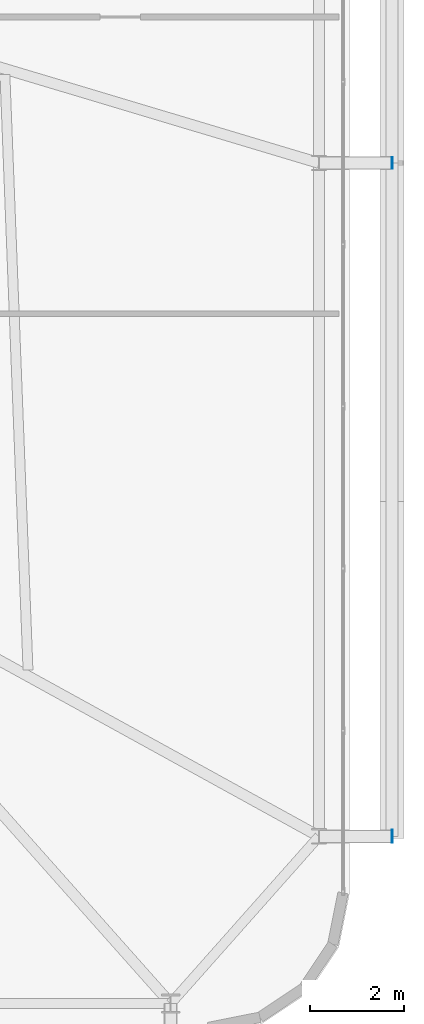
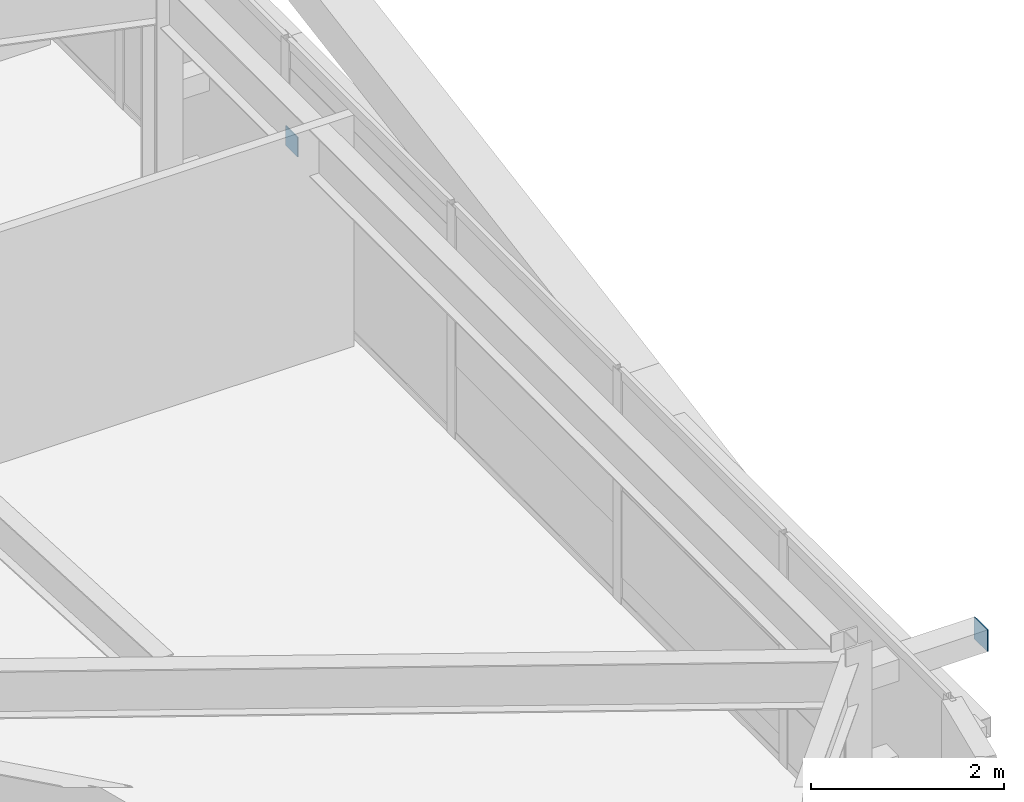
# One storey, part 48 of 59: 2 plates.
"""IFC4 building model written with IfcOpenShell, lengths in metres."""

import ifcopenshell
import ifcopenshell.guid

model = None  # the IFC model being written
_history = None  # IfcOwnerHistory: only IFC2X3 demands one
_inside = {}  # id of a spatial element -> (the spatial element, [elements in it])
_under = {}  # id of a project, library or spatial element -> (it, [spatial elements below it])
_declared = {}  # id of a project -> (the project, [libraries it declares])
_typed = {}  # id of a type object -> (the type object, [elements of that type])
_made_of = {}  # id of a material, layer set ... -> (it, [elements and type objects made of it])


def new_model(schema):
    """Start an empty IFC model of exactly this schema.

    Asked for "IFC4X3", IfcOpenShell would pick the latest addendum, in which some entities
    have other attributes; the version numbers below select the first issue.
    IFC2X3 requires an IfcOwnerHistory on every rooted entity: one is made here for all.
    """
    global model, _history
    if schema == "IFC4X3":
        model = ifcopenshell.file(schema_version=(4, 3, 0, 0))
    else:
        model = ifcopenshell.file(schema=schema)
    _inside.clear()
    _under.clear()
    _declared.clear()
    _typed.clear()
    _made_of.clear()
    _history = None
    if model.schema == "IFC2X3":
        org = make("IfcOrganization", Name="unknown")
        user = make(
            "IfcPersonAndOrganization",
            ThePerson=make("IfcPerson", FamilyName="unknown"),
            TheOrganization=org,
        )
        app = make(
            "IfcApplication",
            ApplicationDeveloper=org,
            Version="unknown",
            ApplicationFullName="unknown",
            ApplicationIdentifier="unknown",
        )
        _history = make(
            "IfcOwnerHistory",
            OwningUser=user,
            OwningApplication=app,
            ChangeAction="ADDED",
            CreationDate=0,
        )
    return model


def make(cls, **values):
    """One entity of the class cls with the attributes given. An attribute that is None is left unset."""
    return model.create_entity(
        cls, **{name: value for name, value in values.items() if value is not None}
    )


def rooted(cls, **values):
    """An entity with a GlobalId (a new one), such as an element, a storey or a relation."""
    return make(cls, GlobalId=ifcopenshell.guid.new(), OwnerHistory=_history, **values)


def si_unit(unit_type, name, prefix=None):
    """IfcSIUnit, for example si_unit("LENGTHUNIT", "METRE", prefix="MILLI")."""
    return make("IfcSIUnit", UnitType=unit_type, Prefix=prefix, Name=name)


def assignment(units):
    """IfcUnitAssignment: the units of a project."""
    return None if units is None else make("IfcUnitAssignment", Units=units)


def point(xyz):
    """IfcCartesianPoint."""
    return None if xyz is None else make("IfcCartesianPoint", Coordinates=xyz)


def direction(xyz):
    """IfcDirection."""
    return None if xyz is None else make("IfcDirection", DirectionRatios=xyz)


def frame(location, z_axis=None, x_axis=None):
    """IfcAxis2Placement3D, a coordinate frame: its origin and axes. An axis left out is left unset."""
    return make(
        "IfcAxis2Placement3D",
        Location=point(location),
        Axis=direction(z_axis),
        RefDirection=direction(x_axis),
    )


def frame_2d(location, x_axis=None):
    """IfcAxis2Placement2D, a coordinate frame in the plane: its origin and x axis."""
    return make(
        "IfcAxis2Placement2D", Location=point(location), RefDirection=direction(x_axis)
    )


def origin():
    """The frame at (0, 0, 0) with its axes left unset."""
    return frame((0.0, 0.0, 0.0))


def origin_2d():
    """The frame at (0, 0) in the plane with its x axis left unset."""
    return frame_2d((0.0, 0.0))


def place(relative_to, where):
    """IfcLocalPlacement: puts the frame where relative to a parent placement (None: the world)."""
    return make(
        "IfcLocalPlacement", PlacementRelTo=relative_to, RelativePlacement=where
    )


def context(
    kind, dimensions, precision=None, world=None, true_north=None, identifier=None
):
    """IfcGeometricRepresentationContext, for example the 3D "Model" context."""
    return make(
        "IfcGeometricRepresentationContext",
        ContextIdentifier=identifier,
        ContextType=kind,
        CoordinateSpaceDimension=dimensions,
        Precision=precision,
        WorldCoordinateSystem=world,
        TrueNorth=true_north,
    )


def subcontext(parent, identifier, kind, view, scale=None):
    """IfcGeometricRepresentationSubContext, for example "Body" below "Model"."""
    return make(
        "IfcGeometricRepresentationSubContext",
        ContextIdentifier=identifier,
        ContextType=kind,
        ParentContext=parent,
        TargetScale=scale,
        TargetView=view,
    )


def project(units=None, contexts=None):
    """IfcProject with its units and contexts."""
    return rooted(
        "IfcProject",
        Name="project",
        RepresentationContexts=contexts,
        UnitsInContext=assignment(units),
    )


def spatial(cls, under=None, at=None, **own):
    """A site, building, storey or space (cls), placed at a placement, below another one or the project."""
    s = rooted(cls, ObjectPlacement=at, **own)
    if under is not None:
        _under.setdefault(under.id(), (under, []))[1].append(s)
    return s


def profile(cls, at=None, kind="AREA", **sizes):
    """A parametric profile (cls). Its sizes go by their IFC names, for example OverallWidth=200.0."""
    return make(cls, ProfileType=kind, Position=at, **sizes)


def rectangle(**sizes):
    """IfcRectangleProfileDef."""
    return profile("IfcRectangleProfileDef", **sizes)


def extrude(swept, where, along, depth):
    """IfcExtrudedAreaSolid: the profile swept, set in the frame where, extruded along a direction by depth."""
    return make(
        "IfcExtrudedAreaSolid",
        SweptArea=swept,
        Position=where,
        ExtrudedDirection=direction(along),
        Depth=depth,
    )


def shape(context_of_items, identifier, shape_type, items):
    """IfcShapeRepresentation: the items that make up one representation, for example the "Body"."""
    return make(
        "IfcShapeRepresentation",
        ContextOfItems=context_of_items,
        RepresentationIdentifier=identifier,
        RepresentationType=shape_type,
        Items=items,
    )


def source(mapping_origin, context_of_items, identifier, shape_type, items):
    """IfcRepresentationMap: a shape defined once, which mapped items show again and again."""
    return make(
        "IfcRepresentationMap",
        MappingOrigin=mapping_origin,
        MappedRepresentation=shape(context_of_items, identifier, shape_type, items),
    )


def transform(
    local_origin,
    x_axis=None,
    y_axis=None,
    z_axis=None,
    scale=None,
    scale2=None,
    scale3=None,
    uniform=True,
):
    """IfcCartesianTransformationOperator3D, or its non-uniform kind. x_axis, y_axis, z_axis: its Axis1, 2, 3."""
    if uniform:
        return make(
            "IfcCartesianTransformationOperator3D",
            Axis1=direction(x_axis),
            Axis2=direction(y_axis),
            LocalOrigin=point(local_origin),
            Scale=scale,
            Axis3=direction(z_axis),
        )
    return make(
        "IfcCartesianTransformationOperator3DnonUniform",
        Axis1=direction(x_axis),
        Axis2=direction(y_axis),
        LocalOrigin=point(local_origin),
        Scale=scale,
        Axis3=direction(z_axis),
        Scale2=scale2,
        Scale3=scale3,
    )


def mapped(mapping_source, mapping_target):
    """IfcMappedItem: shows the shape of a source again, moved by a transform."""
    return make(
        "IfcMappedItem", MappingSource=mapping_source, MappingTarget=mapping_target
    )


def material(Name=None, Category=None):
    """IfcMaterial."""
    return make("IfcMaterial", Name=Name, Category=Category)


def layer(
    of_material, thickness, ventilated=None, Name=None, Category=None, Priority=None
):
    """IfcMaterialLayer: one layer of a wall or slab, of a material (None: an air gap)."""
    return make(
        "IfcMaterialLayer",
        Material=of_material,
        LayerThickness=thickness,
        IsVentilated=ventilated,
        Name=Name,
        Category=Category,
        Priority=Priority,
    )


def layer_set(layers, Name=None):
    """IfcMaterialLayerSet."""
    return make("IfcMaterialLayerSet", MaterialLayers=layers, LayerSetName=Name)


def made_of(thing, what):
    """Note that an element or type object is made of a material, layer set ...; save() writes the relation."""
    if what is not None:
        _made_of.setdefault(what.id(), (what, []))[1].append(thing)
    return thing


def type_object(cls, material=None, **own):
    """A type object (cls), such as IfcWallType, which elements share."""
    return made_of(rooted(cls, **own), material)


def element(
    cls,
    number,
    at=None,
    inside=None,
    cuts=None,
    type_object=None,
    material=None,
    context=None,
    identifier="Body",
    shape_type=None,
    held_by="IfcProductDefinitionShape",
    body=None,
    shapes=None,
    **own,
):
    """One element of the class cls, such as IfcWall. Its Tag is "e" and its number.

    at: its placement. inside: the storey or other place that contains it. cuts: it is an
    opening in that element (IfcRelVoidsElement). A single representation is given by context,
    identifier, shape_type and body (its items); several are given by shapes. held_by: the class
    of the entity that holds the representations. save() writes the other relations.
    """
    e = rooted(cls, Tag="e%d" % number, ObjectPlacement=at, **own)
    if body is not None:
        shapes = [shape(context, identifier, shape_type, body)]
    if shapes is not None:
        e.Representation = make(held_by, Representations=shapes)
    if inside is not None:
        _inside.setdefault(inside.id(), (inside, []))[1].append(e)
    if cuts is not None:
        rooted(
            "IfcRelVoidsElement", RelatingBuildingElement=cuts, RelatedOpeningElement=e
        )
    if type_object is not None:
        _typed.setdefault(type_object.id(), (type_object, []))[1].append(e)
    return made_of(e, material)


def aggregate(whole, parts):
    """IfcRelAggregates: a whole, such as a stair, and the parts it consists of."""
    return rooted("IfcRelAggregates", RelatingObject=whole, RelatedObjects=parts)


def save(model, path):
    """Write the relations noted so far, then the file.

    IfcRelAggregates (storeys below a building ...), IfcRelContainedInSpatialStructure (elements
    in a storey), IfcRelDefinesByType, IfcRelAssociatesMaterial and IfcRelDeclares: one each for
    every whole, place, type object, material and project.
    """
    for whole, parts in _under.values():
        aggregate(whole, parts)
    for where, things in _inside.values():
        rooted(
            "IfcRelContainedInSpatialStructure",
            RelatedElements=things,
            RelatingStructure=where,
        )
    for kind, things in _typed.values():
        rooted("IfcRelDefinesByType", RelatedObjects=things, RelatingType=kind)
    for what, things in _made_of.values():
        rooted("IfcRelAssociatesMaterial", RelatedObjects=things, RelatingMaterial=what)
    for by, libraries in _declared.values():
        rooted("IfcRelDeclares", RelatingContext=by, RelatedDefinitions=libraries)
    model.write(path)


model = new_model("IFC4")

# Units and contexts
model_context = context("Model", 3, precision=1e-05, world=origin(), true_north=direction((0.0, 1.0)))
body_context = subcontext(model_context, "Body", "Model", "MODEL_VIEW")
ifc_project = project(units=[si_unit("LENGTHUNIT", "METRE"), si_unit("AREAUNIT", "SQUARE_METRE"), si_unit("VOLUMEUNIT", "CUBIC_METRE"), si_unit("PLANEANGLEUNIT", "RADIAN"), si_unit("MASSUNIT", "GRAM", prefix="KILO")], contexts=[model_context])

# Site, building, storey
site_placement = place(None, origin())
site = spatial("IfcSite", under=ifc_project, at=site_placement, CompositionType="ELEMENT")
building_placement = place(site_placement, origin())
building = spatial("IfcBuilding", under=site, at=building_placement, Name="Taldren Reach Tower", CompositionType="ELEMENT")
storey_placement = place(building_placement, frame((0.0, 0.0, 48.300048828125)))
storey = spatial("IfcBuildingStorey", under=building, at=storey_placement, Name="L14", CompositionType="ELEMENT", Elevation=48.300048828125)

# Plates
ifc_material_1 = material(Name="Steel Gr 450 (C450L0)", Category="steel")
ifc_layer_1 = layer(ifc_material_1, 0.011962890625)
ifc_layer_set_1 = layer_set([ifc_layer_1], Name="Steel Gr 450 (C450L0)")
plate_type_1 = type_object("IfcPlateType", Name="PL-CAP-275", PredefinedType="SHEET", material=ifc_layer_set_1)
shared_shape_1 = source(origin(), body_context, "Body", "SweptSolid", [
    extrude(rectangle(XDim=0.011962890625, YDim=0.27490234375, at=origin_2d()), origin(), (0.0, 0.0, 1.0), 0.27490234375),
])
plate_1_placement = place(storey_placement, frame((65.906005859375, 5.699951171875, 2.512451171875), z_axis=(0.0, 0.0, 1.0), x_axis=(1.0, 0.0, 0.0)))
element("IfcPlate", 1, at=plate_1_placement, inside=storey, type_object=plate_type_1, Name="Tie strut end cap plate B1-E1 L14", PredefinedType="SHEET", context=body_context, shape_type="MappedRepresentation", body=[
    mapped(shared_shape_1, transform((0.0, 0.0, 0.0), scale=1.0)),
])
ifc_material_2 = material(Name="Steel Gr 350 (C350L0)", Category="steel")
ifc_layer_2 = layer(ifc_material_2, 0.011962890625)
ifc_layer_set_2 = layer_set([ifc_layer_2], Name="Steel Gr 350 (C350L0)")
plate_type_2 = type_object("IfcPlateType", Name="PL-CAP-250", PredefinedType="SHEET", material=ifc_layer_set_2)
shared_shape_2 = source(origin(), body_context, "Body", "SweptSolid", [
    extrude(rectangle(XDim=0.011962890625, YDim=0.25, at=origin_2d()), origin(), (0.0, 0.0, 1.0), 0.25),
])
plate_2_placement = place(storey_placement, frame((65.906005859375, 20.0, 0.094970703125), z_axis=(0.0, 0.0, 1.0), x_axis=(1.0, 0.0, 0.0)))
element("IfcPlate", 2, at=plate_2_placement, inside=storey, type_object=plate_type_2, Name="Tie strut end cap plate B1-E2 L14", PredefinedType="SHEET", context=body_context, shape_type="MappedRepresentation", body=[
    mapped(shared_shape_2, transform((0.0, 0.0, 0.0), scale=1.0)),
])

save(model, "model.ifc")
